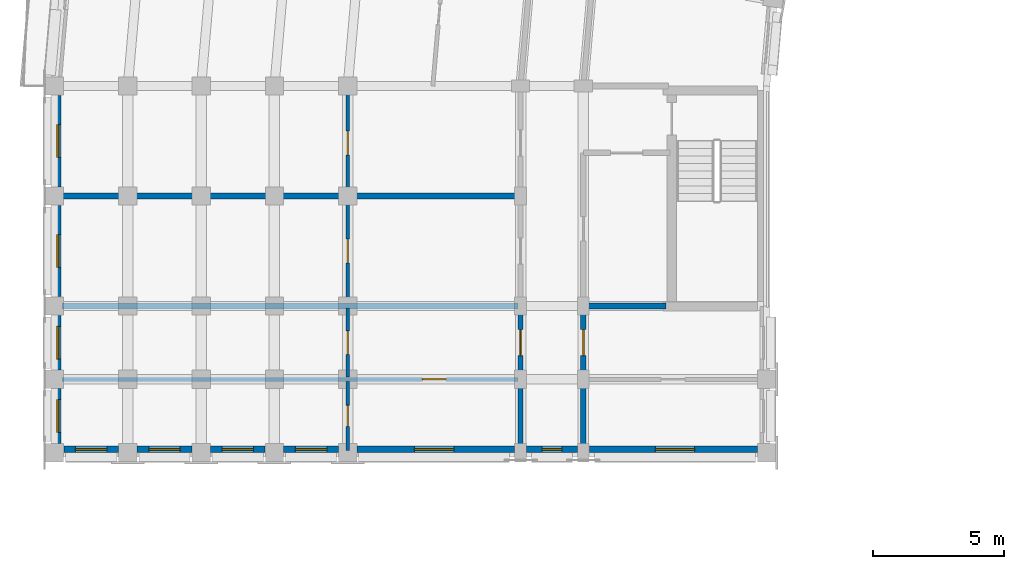
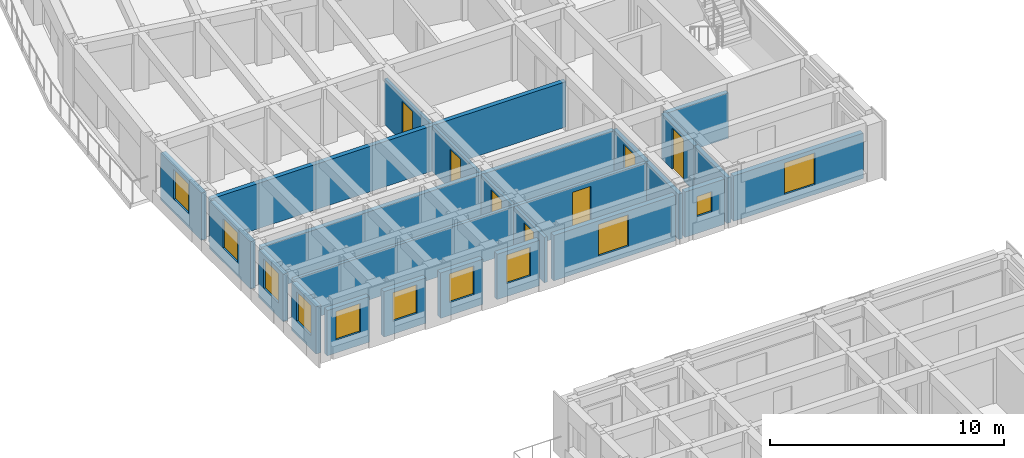
# One storey, part 24 of 57: 23 walls, 11 windows, 7 doors, 18 openings.
"""IFC4 building model written with IfcOpenShell, lengths in metres."""

from ifc_helpers import new_model, si_unit, direction, frame, frame_2d, origin, place, context, subcontext, project, spatial, rectangle, extrude, material, layer, layer_set, type_object, element, fill, save


model = new_model("IFC4")

# Units and contexts
model_context = context("Model", 3, precision=1e-05, world=origin(), true_north=direction((0.0, 1.0)))
body_context = subcontext(model_context, "Body", "Model", "MODEL_VIEW")
ifc_project = project(units=[si_unit("LENGTHUNIT", "METRE"), si_unit("AREAUNIT", "SQUARE_METRE"), si_unit("VOLUMEUNIT", "CUBIC_METRE"), si_unit("PLANEANGLEUNIT", "RADIAN"), si_unit("MASSUNIT", "GRAM", prefix="KILO")], contexts=[model_context])

# Site, building, storey
site_placement = place(None, origin())
site = spatial("IfcSite", under=ifc_project, at=site_placement, CompositionType="ELEMENT")
building_placement = place(site_placement, origin())
building = spatial("IfcBuilding", under=site, at=building_placement, Name="Kiranvali Square Residences", CompositionType="ELEMENT")
storey_placement = place(building_placement, frame((0.0, 0.0, 24.449951171875)))
storey = spatial("IfcBuildingStorey", under=building, at=storey_placement, Name="L07", CompositionType="ELEMENT", Elevation=24.449951171875)

# Wall, opening, door
ifc_material_1 = material(Name="Autoclaved aerated concrete blockwork masonry", Category="masonry")
ifc_layer_1 = layer(ifc_material_1, 0.199951171875)
ifc_layer_set_1 = layer_set([ifc_layer_1], Name="Autoclaved aerated concrete blockwork masonry")
wall_type_1 = type_object("IfcWallType", Name="WL-COR-200", PredefinedType="STANDARD", material=ifc_layer_set_1)
wall_1_placement = place(storey_placement, frame((22.39990234375, 79.39990234375, 0.0), z_axis=(0.0, 0.0, 1.0), x_axis=(0.0, -1.0, 0.0)))
wall_1 = element("IfcWall", 1, at=wall_1_placement, inside=storey, type_object=wall_type_1, Name="L07 architectural wall WL-L07-A-A2CI-0", PredefinedType="STANDARD", context=body_context, shape_type="SweptSolid", body=[
    extrude(rectangle(XDim=2.7998046875, YDim=0.199951171875, at=frame_2d((1.39990234375, 0.0))), origin(), (0.0, 0.0, 1.0), 2.3720703125),
])
opening_1_placement = place(wall_1_placement, frame((0.89990234375, 0.0, 0.0)))
opening_1 = element("IfcOpeningElement", 2, at=opening_1_placement, cuts=wall_1, Name="Opening FD-APT-60", PredefinedType="OPENING", context=body_context, shape_type="SweptSolid", body=[
    extrude(rectangle(XDim=1.0, YDim=2.14990234375, at=frame_2d((0.5, 1.074951171875))), frame((0.0, 0.10986328125, 0.0), z_axis=(0.0, -1.0, 0.0), x_axis=(1.0, 0.0, 0.0)), (0.0, 0.0, 1.0), 0.219970703125),
])
ifc_material_2 = material(Name="Fire-rated acoustic hardwood and mineral-core door assembly", Category="wood")
door_type_1 = type_object("IfcDoorType", Name="DR-APT-1000", OperationType="NOTDEFINED", PredefinedType="DOOR", material=ifc_material_2)
door_1_placement = place(opening_1_placement, origin())
door_1 = element("IfcDoor", 3, at=door_1_placement, inside=storey, type_object=door_type_1, Name="L07 door DR-L07-0505 (DR-APT-1000)", OperationType="SINGLE_SWING_LEFT", OverallHeight=2.14990234375, OverallWidth=1.0, PredefinedType="DOOR", context=body_context, shape_type="SweptSolid", body=[
    extrude(rectangle(XDim=1.0, YDim=2.14990234375, at=frame_2d((0.5, 1.074951171875))), frame((0.0, 0.02490234375, 0.0), z_axis=(0.0, -1.0, 0.0), x_axis=(1.0, 0.0, 0.0)), (0.0, 0.0, 1.0), 0.050048828125),
])
fill(opening_1, door_1)

wall_2_placement = place(storey_placement, frame((20.0, 79.39990234375, 0.0), z_axis=(0.0, 0.0, 1.0), x_axis=(0.0, -1.0, 0.0)))
wall_2 = element("IfcWall", 4, at=wall_2_placement, inside=storey, type_object=wall_type_1, Name="L07 architectural wall WL-L07-A-A2CO-0", PredefinedType="STANDARD", context=body_context, shape_type="SweptSolid", body=[
    extrude(rectangle(XDim=2.7998046875, YDim=0.199951171875, at=frame_2d((1.39990234375, 0.0))), origin(), (0.0, 0.0, 1.0), 2.3720703125),
])
opening_2_placement = place(wall_2_placement, frame((0.89990234375, 0.0, 0.0)))
opening_2 = element("IfcOpeningElement", 5, at=opening_2_placement, cuts=wall_2, Name="Opening FD-APT-60", PredefinedType="OPENING", context=body_context, shape_type="SweptSolid", body=[
    extrude(rectangle(XDim=1.0, YDim=2.14990234375, at=frame_2d((0.5, 1.074951171875))), frame((0.0, 0.10986328125, 0.0), z_axis=(0.0, -1.0, 0.0), x_axis=(1.0, 0.0, 0.0)), (0.0, 0.0, 1.0), 0.219970703125),
])
door_2_placement = place(opening_2_placement, origin())
door_2 = element("IfcDoor", 6, at=door_2_placement, inside=storey, type_object=door_type_1, Name="L07 door DR-L07-0507 (DR-APT-1000)", OperationType="SINGLE_SWING_LEFT", OverallHeight=2.14990234375, OverallWidth=1.0, PredefinedType="DOOR", context=body_context, shape_type="SweptSolid", body=[
    extrude(rectangle(XDim=1.0, YDim=2.14990234375, at=frame_2d((0.5, 1.074951171875))), frame((0.0, 0.02490234375, 0.0), z_axis=(0.0, -1.0, 0.0), x_axis=(1.0, 0.0, 0.0)), (0.0, 0.0, 1.0), 0.050048828125),
])
fill(opening_2, door_2)

# Walls
for number, where, z_axis, x_axis, name in (
    (7, (22.39990234375, 76.60009765625, 0.0), (0.0, 0.0, 1.0), (0.0, -1.0, 0.0), "L07 architectural wall WL-L07-A-A2CI-1"),
    (8, (20.0, 76.60009765625, 0.0), (0.0, 0.0, 1.0), (0.0, -1.0, 0.0), "L07 architectural wall WL-L07-A-A2CO-1"),
):
    element("IfcWall", number, at=place(storey_placement, frame(where, z_axis=z_axis, x_axis=x_axis)), inside=storey, type_object=wall_type_1, Name=name, PredefinedType="STANDARD", context=body_context, shape_type="SweptSolid", body=[
        extrude(rectangle(XDim=2.800048828125, YDim=0.199951171875, at=frame_2d((1.39990234375, 0.0))), origin(), (0.0, 0.0, 1.0), 2.3720703125),
    ])
ifc_layer_2 = layer(ifc_material_1, 0.219970703125)
ifc_layer_set_2 = layer_set([ifc_layer_2], Name="Autoclaved aerated concrete blockwork masonry")
wall_type_2 = type_object("IfcWallType", Name="WL-DEM-220", PredefinedType="STANDARD", material=ifc_layer_set_2)
wall_3_placement = place(storey_placement, frame((19.949951171875, 83.60009765625, 0.0), z_axis=(0.0, 0.0, 1.0), x_axis=(-1.0, 0.0, 0.0)))
element("IfcWall", 9, at=wall_3_placement, inside=storey, type_object=wall_type_2, Name="L07 architectural wall WL-L07-A-A2CF-MID", PredefinedType="STANDARD", context=body_context, shape_type="SweptSolid", body=[
    extrude(rectangle(XDim=17.530029296875, YDim=0.219970703125, at=frame_2d((8.76513671875, 0.0))), origin(), (0.0, 0.0, 1.0), 2.3720703125),
])
wall_4_placement = place(storey_placement, frame((25.550048828125, 79.39990234375, 0.0), z_axis=(0.0, 0.0, 1.0), x_axis=(-1.0, 0.0, 0.0)))
element("IfcWall", 10, at=wall_4_placement, inside=storey, type_object=wall_type_2, Name="L07 architectural wall WL-L07-A-A2TI-0", PredefinedType="STANDARD", context=body_context, shape_type="SweptSolid", body=[
    extrude(rectangle(XDim=3.10009765625, YDim=0.219970703125, at=frame_2d((1.550048828125, 0.0))), origin(), (0.0, 0.0, 1.0), 2.3720703125),
])
wall_5_placement = place(storey_placement, frame((19.89990234375, 79.39990234375, 0.0), z_axis=(0.0, 0.0, 1.0), x_axis=(-1.0, 0.0, 0.0)))
element("IfcWall", 11, at=wall_5_placement, inside=storey, type_object=wall_type_2, Name="L07 architectural wall WL-L07-A-A2TO-0", PredefinedType="STANDARD", context=body_context, shape_type="SweptSolid", body=[
    extrude(rectangle(XDim=17.419921875, YDim=0.219970703125, at=frame_2d((8.7099609375, 0.0))), origin(), (0.0, 0.0, 1.0), 2.3720703125),
])

# Wall, opening, window
ifc_material_3 = material(Name="Breathable lime-rendered clay brick masonry", Category="masonry")
ifc_layer_3 = layer(ifc_material_3, 0.25)
ifc_layer_set_3 = layer_set([ifc_layer_3], Name="Breathable lime-rendered clay brick masonry")
wall_type_3 = type_object("IfcWallType", Name="WL-EXT-250", PredefinedType="STANDARD", material=ifc_layer_set_3)
wall_6_placement = place(storey_placement, frame((2.324951171875, 87.446533203125, 0.0), z_axis=(0.0, 0.0, 1.0), x_axis=(0.0, -1.0, 0.0)))
wall_6 = element("IfcWall", 12, at=wall_6_placement, inside=storey, type_object=wall_type_3, Name="L07 exterior wall A-L07-A2O-0", PredefinedType="STANDARD", context=body_context, shape_type="SweptSolid", body=[
    extrude(rectangle(XDim=3.492919921875, YDim=0.25, at=frame_2d((1.74658203125, 0.0))), origin(), (0.0, 0.0, 1.0), 2.47216796875),
])
opening_3_placement = place(wall_6_placement, frame((1.12158203125, 0.0, 0.721923828125)))
opening_3 = element("IfcOpeningElement", 13, at=opening_3_placement, cuts=wall_6, Name="Opening W-19", PredefinedType="OPENING", context=body_context, shape_type="SweptSolid", body=[
    extrude(rectangle(XDim=1.25, YDim=1.550048828125, at=frame_2d((0.625, 0.77490234375))), frame((0.0, 0.135009765625, 0.0), z_axis=(0.0, -1.0, 0.0), x_axis=(1.0, 0.0, 0.0)), (0.0, 0.0, 1.0), 0.27001953125),
])
ifc_material_4 = material(Name="Solar-control low-e double glazing", Category="glass")
window_type_1 = type_object("IfcWindowType", Name="WIN-GDN-1250x1550", PartitioningType="SINGLE_PANEL", PredefinedType="WINDOW", material=ifc_material_4)
window_1_placement = place(opening_3_placement, origin())
window_1 = element("IfcWindow", 14, at=window_1_placement, inside=storey, type_object=window_type_1, Name="L07 recessed window A-L07-A2O-0", OverallHeight=1.550048828125, OverallWidth=1.25, PartitioningType="SINGLE_PANEL", PredefinedType="WINDOW", context=body_context, shape_type="SweptSolid", body=[
    extrude(rectangle(XDim=1.25, YDim=1.550048828125, at=frame_2d((0.625, 0.77490234375))), frame((0.0, 0.030029296875, 0.0), z_axis=(0.0, -1.0, 0.0), x_axis=(1.0, 0.0, 0.0)), (0.0, 0.0, 1.0), 0.06005859375),
])
fill(opening_3, window_1)

wall_7_placement = place(storey_placement, frame((2.324951171875, 83.24658203125, 0.0), z_axis=(0.0, 0.0, 1.0), x_axis=(0.0, -1.0, 0.0)))
wall_7 = element("IfcWall", 15, at=wall_7_placement, inside=storey, type_object=wall_type_3, Name="L07 exterior wall A-L07-A2O-1", PredefinedType="STANDARD", context=body_context, shape_type="SweptSolid", body=[
    extrude(rectangle(XDim=3.4931640625, YDim=0.25, at=frame_2d((1.74658203125, 0.0))), origin(), (0.0, 0.0, 1.0), 2.47216796875),
])
opening_4_placement = place(wall_7_placement, frame((1.12158203125, 0.0, 0.721923828125)))
opening_4 = element("IfcOpeningElement", 16, at=opening_4_placement, cuts=wall_7, Name="Opening W-19", PredefinedType="OPENING", context=body_context, shape_type="SweptSolid", body=[
    extrude(rectangle(XDim=1.25, YDim=1.550048828125, at=frame_2d((0.625, 0.77490234375))), frame((0.0, 0.135009765625, 0.0), z_axis=(0.0, -1.0, 0.0), x_axis=(1.0, 0.0, 0.0)), (0.0, 0.0, 1.0), 0.27001953125),
])
window_2_placement = place(opening_4_placement, origin())
window_2 = element("IfcWindow", 17, at=window_2_placement, inside=storey, type_object=window_type_1, Name="L07 recessed window A-L07-A2O-1", OverallHeight=1.550048828125, OverallWidth=1.25, PartitioningType="SINGLE_PANEL", PredefinedType="WINDOW", context=body_context, shape_type="SweptSolid", body=[
    extrude(rectangle(XDim=1.25, YDim=1.550048828125, at=frame_2d((0.625, 0.77490234375))), frame((0.0, 0.030029296875, 0.0), z_axis=(0.0, -1.0, 0.0), x_axis=(1.0, 0.0, 0.0)), (0.0, 0.0, 1.0), 0.06005859375),
])
fill(opening_4, window_2)

wall_8_placement = place(storey_placement, frame((2.324951171875, 79.04638671875, 0.0), z_axis=(0.0, 0.0, 1.0), x_axis=(0.0, -1.0, 0.0)))
wall_8 = element("IfcWall", 18, at=wall_8_placement, inside=storey, type_object=wall_type_3, Name="L07 exterior wall A-L07-A2O-2", PredefinedType="STANDARD", context=body_context, shape_type="SweptSolid", body=[
    extrude(rectangle(XDim=2.0927734375, YDim=0.25, at=frame_2d((1.04638671875, 0.0))), origin(), (0.0, 0.0, 1.0), 2.47216796875),
])
opening_5_placement = place(wall_8_placement, frame((0.42138671875, 0.0, 0.721923828125)))
opening_5 = element("IfcOpeningElement", 19, at=opening_5_placement, cuts=wall_8, Name="Opening W-19", PredefinedType="OPENING", context=body_context, shape_type="SweptSolid", body=[
    extrude(rectangle(XDim=1.25, YDim=1.550048828125, at=frame_2d((0.625, 0.77490234375))), frame((0.0, 0.135009765625, 0.0), z_axis=(0.0, -1.0, 0.0), x_axis=(1.0, 0.0, 0.0)), (0.0, 0.0, 1.0), 0.27001953125),
])
window_3_placement = place(opening_5_placement, origin())
window_3 = element("IfcWindow", 20, at=window_3_placement, inside=storey, type_object=window_type_1, Name="L07 recessed window A-L07-A2O-2", OverallHeight=1.550048828125, OverallWidth=1.25, PartitioningType="SINGLE_PANEL", PredefinedType="WINDOW", context=body_context, shape_type="SweptSolid", body=[
    extrude(rectangle(XDim=1.25, YDim=1.550048828125, at=frame_2d((0.625, 0.77490234375))), frame((0.0, 0.030029296875, 0.0), z_axis=(0.0, -1.0, 0.0), x_axis=(1.0, 0.0, 0.0)), (0.0, 0.0, 1.0), 0.06005859375),
])
fill(opening_5, window_3)

wall_9_placement = place(storey_placement, frame((2.324951171875, 76.24658203125, 0.0), z_axis=(0.0, 0.0, 1.0), x_axis=(0.0, -1.0, 0.0)))
wall_9 = element("IfcWall", 21, at=wall_9_placement, inside=storey, type_object=wall_type_3, Name="L07 exterior wall A-L07-A2O-3", PredefinedType="STANDARD", context=body_context, shape_type="SweptSolid", body=[
    extrude(rectangle(XDim=2.093017578125, YDim=0.25, at=frame_2d((1.04638671875, 0.0))), origin(), (0.0, 0.0, 1.0), 2.47216796875),
])
opening_6_placement = place(wall_9_placement, frame((0.42138671875, 0.0, 0.721923828125)))
opening_6 = element("IfcOpeningElement", 22, at=opening_6_placement, cuts=wall_9, Name="Opening W-19", PredefinedType="OPENING", context=body_context, shape_type="SweptSolid", body=[
    extrude(rectangle(XDim=1.25, YDim=1.550048828125, at=frame_2d((0.625, 0.77490234375))), frame((0.0, 0.135009765625, 0.0), z_axis=(0.0, -1.0, 0.0), x_axis=(1.0, 0.0, 0.0)), (0.0, 0.0, 1.0), 0.27001953125),
])
window_4_placement = place(opening_6_placement, origin())
window_4 = element("IfcWindow", 23, at=window_4_placement, inside=storey, type_object=window_type_1, Name="L07 recessed window A-L07-A2O-3", OverallHeight=1.550048828125, OverallWidth=1.25, PartitioningType="SINGLE_PANEL", PredefinedType="WINDOW", context=body_context, shape_type="SweptSolid", body=[
    extrude(rectangle(XDim=1.25, YDim=1.550048828125, at=frame_2d((0.625, 0.77490234375))), frame((0.0, 0.030029296875, 0.0), z_axis=(0.0, -1.0, 0.0), x_axis=(1.0, 0.0, 0.0)), (0.0, 0.0, 1.0), 0.06005859375),
])
fill(opening_6, window_4)

wall_10_placement = place(storey_placement, frame((29.04638671875, 73.925048828125, 0.0), z_axis=(0.0, 0.0, 1.0), x_axis=(-1.0, 0.0, 0.0)))
wall_10 = element("IfcWall", 24, at=wall_10_placement, inside=storey, type_object=wall_type_3, Name="L07 exterior wall A-L07-A2END-0", PredefinedType="STANDARD", context=body_context, shape_type="SweptSolid", body=[
    extrude(rectangle(XDim=6.41796875, YDim=0.25, at=frame_2d((3.208984375, 0.0))), origin(), (0.0, 0.0, 1.0), 2.3720703125),
])
opening_7_placement = place(wall_10_placement, frame((2.396484375, 0.0, 0.52197265625)))
opening_7 = element("IfcOpeningElement", 25, at=opening_7_placement, cuts=wall_10, Name="Opening W-05", PredefinedType="OPENING", context=body_context, shape_type="SweptSolid", body=[
    extrude(rectangle(XDim=1.5, YDim=1.64990234375, at=frame_2d((0.75, 0.824951171875))), frame((0.0, 0.135009765625, 0.0), z_axis=(0.0, -1.0, 0.0), x_axis=(1.0, 0.0, 0.0)), (0.0, 0.0, 1.0), 0.27001953125),
])
window_type_2 = type_object("IfcWindowType", Name="WIN-RES-1500x1650", PartitioningType="DOUBLE_PANEL_VERTICAL", PredefinedType="WINDOW", material=ifc_material_4)
window_5_placement = place(opening_7_placement, origin())
window_5 = element("IfcWindow", 26, at=window_5_placement, inside=storey, type_object=window_type_2, Name="L07 recessed window A-L07-A2END-0", OverallHeight=1.64990234375, OverallWidth=1.5, PartitioningType="DOUBLE_PANEL_VERTICAL", PredefinedType="WINDOW", context=body_context, shape_type="SweptSolid", body=[
    extrude(rectangle(XDim=1.5, YDim=1.64990234375, at=frame_2d((0.75, 0.824951171875))), frame((0.0, 0.030029296875, 0.0), z_axis=(0.0, -1.0, 0.0), x_axis=(1.0, 0.0, 0.0)), (0.0, 0.0, 1.0), 0.06005859375),
])
fill(opening_7, window_5)

wall_11_placement = place(storey_placement, frame((22.17138671875, 73.925048828125, 0.0), z_axis=(0.0, 0.0, 1.0), x_axis=(-1.0, 0.0, 0.0)))
wall_11 = element("IfcWall", 27, at=wall_11_placement, inside=storey, type_object=wall_type_3, Name="L07 exterior wall A-L07-A2END-1", PredefinedType="STANDARD", context=body_context, shape_type="SweptSolid", body=[
    extrude(rectangle(XDim=1.94287109375, YDim=0.25, at=frame_2d((0.971435546875, 0.0))), origin(), (0.0, 0.0, 1.0), 2.3720703125),
])
opening_8_placement = place(wall_11_placement, frame((0.596435546875, 0.0, 0.8798828125)))
opening_8 = element("IfcOpeningElement", 28, at=opening_8_placement, cuts=wall_11, Name="Opening W-07", PredefinedType="OPENING", context=body_context, shape_type="SweptSolid", body=[
    extrude(rectangle(XDim=0.75, YDim=1.050048828125, at=frame_2d((0.375, 0.52490234375))), frame((0.0, 0.135009765625, 0.0), z_axis=(0.0, -1.0, 0.0), x_axis=(1.0, 0.0, 0.0)), (0.0, 0.0, 1.0), 0.27001953125),
])
window_type_3 = type_object("IfcWindowType", Name="WIN-WET-750x1050", PartitioningType="SINGLE_PANEL", PredefinedType="WINDOW", material=ifc_material_4)
window_6_placement = place(opening_8_placement, origin())
window_6 = element("IfcWindow", 29, at=window_6_placement, inside=storey, type_object=window_type_3, Name="L07 recessed window A-L07-A2END-1", OverallHeight=1.050048828125, OverallWidth=0.75, PartitioningType="SINGLE_PANEL", PredefinedType="WINDOW", context=body_context, shape_type="SweptSolid", body=[
    extrude(rectangle(XDim=0.75, YDim=1.050048828125, at=frame_2d((0.375, 0.52490234375))), frame((0.0, 0.030029296875, 0.0), z_axis=(0.0, -1.0, 0.0), x_axis=(1.0, 0.0, 0.0)), (0.0, 0.0, 1.0), 0.06005859375),
])
fill(opening_8, window_6)

wall_12_placement = place(storey_placement, frame((19.771484375, 73.925048828125, 0.0), z_axis=(0.0, 0.0, 1.0), x_axis=(-1.0, 0.0, 0.0)))
wall_12 = element("IfcWall", 30, at=wall_12_placement, inside=storey, type_object=wall_type_3, Name="L07 exterior wall A-L07-A2END-2", PredefinedType="STANDARD", context=body_context, shape_type="SweptSolid", body=[
    extrude(rectangle(XDim=6.01806640625, YDim=0.25, at=frame_2d((3.009033203125, 0.0))), origin(), (0.0, 0.0, 1.0), 2.3720703125),
])
opening_9_placement = place(wall_12_placement, frame((2.321533203125, 0.0, 0.52197265625)))
opening_9 = element("IfcOpeningElement", 31, at=opening_9_placement, cuts=wall_12, Name="Opening W-05", PredefinedType="OPENING", context=body_context, shape_type="SweptSolid", body=[
    extrude(rectangle(XDim=1.5, YDim=1.64990234375, at=frame_2d((0.75, 0.824951171875))), frame((0.0, 0.135009765625, 0.0), z_axis=(0.0, -1.0, 0.0), x_axis=(1.0, 0.0, 0.0)), (0.0, 0.0, 1.0), 0.27001953125),
])
window_7_placement = place(opening_9_placement, origin())
window_7 = element("IfcWindow", 32, at=window_7_placement, inside=storey, type_object=window_type_2, Name="L07 recessed window A-L07-A2END-2", OverallHeight=1.64990234375, OverallWidth=1.5, PartitioningType="DOUBLE_PANEL_VERTICAL", PredefinedType="WINDOW", context=body_context, shape_type="SweptSolid", body=[
    extrude(rectangle(XDim=1.5, YDim=1.64990234375, at=frame_2d((0.75, 0.824951171875))), frame((0.0, 0.030029296875, 0.0), z_axis=(0.0, -1.0, 0.0), x_axis=(1.0, 0.0, 0.0)), (0.0, 0.0, 1.0), 0.06005859375),
])
fill(opening_9, window_7)

wall_13_placement = place(storey_placement, frame((13.04638671875, 73.925048828125, 0.0), z_axis=(0.0, 0.0, 1.0), x_axis=(-1.0, 0.0, 0.0)))
wall_13 = element("IfcWall", 33, at=wall_13_placement, inside=storey, type_object=wall_type_3, Name="L07 exterior wall A-L07-A2END-3", PredefinedType="STANDARD", context=body_context, shape_type="SweptSolid", body=[
    extrude(rectangle(XDim=2.0927734375, YDim=0.25, at=frame_2d((1.04638671875, 0.0))), origin(), (0.0, 0.0, 1.0), 2.3720703125),
])
opening_10_placement = place(wall_13_placement, frame((0.446533203125, 0.0, 0.672119140625)))
opening_10 = element("IfcOpeningElement", 34, at=opening_10_placement, cuts=wall_13, Name="Opening W-06", PredefinedType="OPENING", context=body_context, shape_type="SweptSolid", body=[
    extrude(rectangle(XDim=1.199951171875, YDim=1.5, at=frame_2d((0.60009765625, 0.75))), frame((0.0, 0.135009765625, 0.0), z_axis=(0.0, -1.0, 0.0), x_axis=(1.0, 0.0, 0.0)), (0.0, 0.0, 1.0), 0.27001953125),
])
window_type_4 = type_object("IfcWindowType", Name="WIN-RES-1200x1500", PartitioningType="SINGLE_PANEL", PredefinedType="WINDOW", material=ifc_material_4)
window_8_placement = place(opening_10_placement, origin())
window_8 = element("IfcWindow", 35, at=window_8_placement, inside=storey, type_object=window_type_4, Name="L07 recessed window A-L07-A2END-3", OverallHeight=1.5, OverallWidth=1.199951171875, PartitioningType="SINGLE_PANEL", PredefinedType="WINDOW", context=body_context, shape_type="SweptSolid", body=[
    extrude(rectangle(XDim=1.199951171875, YDim=1.5, at=frame_2d((0.60009765625, 0.75))), frame((0.0, 0.030029296875, 0.0), z_axis=(0.0, -1.0, 0.0), x_axis=(1.0, 0.0, 0.0)), (0.0, 0.0, 1.0), 0.06005859375),
])
fill(opening_10, window_8)

wall_14_placement = place(storey_placement, frame((10.24658203125, 73.925048828125, 0.0), z_axis=(0.0, 0.0, 1.0), x_axis=(-1.0, 0.0, 0.0)))
wall_14 = element("IfcWall", 36, at=wall_14_placement, inside=storey, type_object=wall_type_3, Name="L07 exterior wall A-L07-A2END-4", PredefinedType="STANDARD", context=body_context, shape_type="SweptSolid", body=[
    extrude(rectangle(XDim=2.093017578125, YDim=0.25, at=frame_2d((1.04638671875, 0.0))), origin(), (0.0, 0.0, 1.0), 2.3720703125),
])
opening_11_placement = place(wall_14_placement, frame((0.446533203125, 0.0, 0.672119140625)))
opening_11 = element("IfcOpeningElement", 37, at=opening_11_placement, cuts=wall_14, Name="Opening W-06", PredefinedType="OPENING", context=body_context, shape_type="SweptSolid", body=[
    extrude(rectangle(XDim=1.199951171875, YDim=1.5, at=frame_2d((0.60009765625, 0.75))), frame((0.0, 0.135009765625, 0.0), z_axis=(0.0, -1.0, 0.0), x_axis=(1.0, 0.0, 0.0)), (0.0, 0.0, 1.0), 0.27001953125),
])
window_9_placement = place(opening_11_placement, origin())
window_9 = element("IfcWindow", 38, at=window_9_placement, inside=storey, type_object=window_type_4, Name="L07 recessed window A-L07-A2END-4", OverallHeight=1.5, OverallWidth=1.199951171875, PartitioningType="SINGLE_PANEL", PredefinedType="WINDOW", context=body_context, shape_type="SweptSolid", body=[
    extrude(rectangle(XDim=1.199951171875, YDim=1.5, at=frame_2d((0.60009765625, 0.75))), frame((0.0, 0.030029296875, 0.0), z_axis=(0.0, -1.0, 0.0), x_axis=(1.0, 0.0, 0.0)), (0.0, 0.0, 1.0), 0.06005859375),
])
fill(opening_11, window_9)

wall_15_placement = place(storey_placement, frame((7.446533203125, 73.925048828125, 0.0), z_axis=(0.0, 0.0, 1.0), x_axis=(-1.0, 0.0, 0.0)))
wall_15 = element("IfcWall", 39, at=wall_15_placement, inside=storey, type_object=wall_type_3, Name="L07 exterior wall A-L07-A2END-5", PredefinedType="STANDARD", context=body_context, shape_type="SweptSolid", body=[
    extrude(rectangle(XDim=2.093017578125, YDim=0.25, at=frame_2d((1.04638671875, 0.0))), origin(), (0.0, 0.0, 1.0), 2.3720703125),
])
opening_12_placement = place(wall_15_placement, frame((0.446533203125, 0.0, 0.672119140625)))
opening_12 = element("IfcOpeningElement", 40, at=opening_12_placement, cuts=wall_15, Name="Opening W-06", PredefinedType="OPENING", context=body_context, shape_type="SweptSolid", body=[
    extrude(rectangle(XDim=1.199951171875, YDim=1.5, at=frame_2d((0.60009765625, 0.75))), frame((0.0, 0.135009765625, 0.0), z_axis=(0.0, -1.0, 0.0), x_axis=(1.0, 0.0, 0.0)), (0.0, 0.0, 1.0), 0.27001953125),
])
window_10_placement = place(opening_12_placement, origin())
window_10 = element("IfcWindow", 41, at=window_10_placement, inside=storey, type_object=window_type_4, Name="L07 recessed window A-L07-A2END-5", OverallHeight=1.5, OverallWidth=1.199951171875, PartitioningType="SINGLE_PANEL", PredefinedType="WINDOW", context=body_context, shape_type="SweptSolid", body=[
    extrude(rectangle(XDim=1.199951171875, YDim=1.5, at=frame_2d((0.60009765625, 0.75))), frame((0.0, 0.030029296875, 0.0), z_axis=(0.0, -1.0, 0.0), x_axis=(1.0, 0.0, 0.0)), (0.0, 0.0, 1.0), 0.06005859375),
])
fill(opening_12, window_10)

wall_16_placement = place(storey_placement, frame((4.646484375, 73.925048828125, 0.0), z_axis=(0.0, 0.0, 1.0), x_axis=(-1.0, 0.0, 0.0)))
wall_16 = element("IfcWall", 42, at=wall_16_placement, inside=storey, type_object=wall_type_3, Name="L07 exterior wall A-L07-A2END-6", PredefinedType="STANDARD", context=body_context, shape_type="SweptSolid", body=[
    extrude(rectangle(XDim=2.093017578125, YDim=0.25, at=frame_2d((1.04638671875, 0.0))), origin(), (0.0, 0.0, 1.0), 2.3720703125),
])
opening_13_placement = place(wall_16_placement, frame((0.446533203125, 0.0, 0.672119140625)))
opening_13 = element("IfcOpeningElement", 43, at=opening_13_placement, cuts=wall_16, Name="Opening W-06", PredefinedType="OPENING", context=body_context, shape_type="SweptSolid", body=[
    extrude(rectangle(XDim=1.199951171875, YDim=1.5, at=frame_2d((0.60009765625, 0.75))), frame((0.0, 0.135009765625, 0.0), z_axis=(0.0, -1.0, 0.0), x_axis=(1.0, 0.0, 0.0)), (0.0, 0.0, 1.0), 0.27001953125),
])
window_11_placement = place(opening_13_placement, origin())
window_11 = element("IfcWindow", 44, at=window_11_placement, inside=storey, type_object=window_type_4, Name="L07 recessed window A-L07-A2END-6", OverallHeight=1.5, OverallWidth=1.199951171875, PartitioningType="SINGLE_PANEL", PredefinedType="WINDOW", context=body_context, shape_type="SweptSolid", body=[
    extrude(rectangle(XDim=1.199951171875, YDim=1.5, at=frame_2d((0.60009765625, 0.75))), frame((0.0, 0.030029296875, 0.0), z_axis=(0.0, -1.0, 0.0), x_axis=(1.0, 0.0, 0.0)), (0.0, 0.0, 1.0), 0.06005859375),
])
fill(opening_13, window_11)

# Wall, opening, door
ifc_material_5 = material(Name="Acoustic gypsum board drylined partition", Category="gypsum")
ifc_layer_4 = layer(ifc_material_5, 0.14990234375)
ifc_layer_set_4 = layer_set([ifc_layer_4], Name="Acoustic gypsum board drylined partition")
wall_type_4 = type_object("IfcWallType", Name="WL-PRT-150", PredefinedType="PARTITIONING", material=ifc_layer_set_4)
wall_17_placement = place(storey_placement, frame((13.39990234375, 87.570068359375, 0.0), z_axis=(0.0, 0.0, 1.0), x_axis=(0.0, -1.0, 0.0)))
wall_17 = element("IfcWall", 45, at=wall_17_placement, inside=storey, type_object=wall_type_4, Name="L07 architectural wall WL-L07-A-A2CF-SP0", PredefinedType="PARTITIONING", context=body_context, shape_type="SweptSolid", body=[
    extrude(rectangle(XDim=3.89013671875, YDim=0.14990234375, at=frame_2d((1.945068359375, 0.0))), origin(), (0.0, 0.0, 1.0), 2.3720703125),
])
opening_14_placement = place(wall_17_placement, frame((1.4951171875, 0.0, 0.0)))
opening_14 = element("IfcOpeningElement", 46, at=opening_14_placement, cuts=wall_17, Name="Opening ID-1", PredefinedType="OPENING", context=body_context, shape_type="SweptSolid", body=[
    extrude(rectangle(XDim=0.89990234375, YDim=2.10009765625, at=frame_2d((0.449951171875, 1.050048828125))), frame((0.0, 0.0849609375, 0.0), z_axis=(0.0, -1.0, 0.0), x_axis=(1.0, 0.0, 0.0)), (0.0, 0.0, 1.0), 0.169921875),
])
ifc_material_6 = material(Name="Solid seasoned teak hardwood joinery", Category="wood")
door_type_2 = type_object("IfcDoorType", Name="DR-INT-900", OperationType="NOTDEFINED", PredefinedType="DOOR", material=ifc_material_6)
door_3_placement = place(opening_14_placement, frame((0.89990234375, 0.0, 0.0), z_axis=(0.0, 0.0, 1.0), x_axis=(-1.0, 0.0, 0.0)))
door_3 = element("IfcDoor", 47, at=door_3_placement, inside=storey, type_object=door_type_2, Name="L07 door DR-L07-0502 (DR-INT-900)", OperationType="SINGLE_SWING_RIGHT", OverallHeight=2.10009765625, OverallWidth=0.89990234375, PredefinedType="DOOR", context=body_context, shape_type="SweptSolid", body=[
    extrude(rectangle(XDim=0.89990234375, YDim=2.10009765625, at=frame_2d((0.449951171875, 1.050048828125))), frame((0.0, 0.02490234375, 0.0), z_axis=(0.0, -1.0, 0.0), x_axis=(1.0, 0.0, 0.0)), (0.0, 0.0, 1.0), 0.050048828125),
])
fill(opening_14, door_3)

wall_18_placement = place(storey_placement, frame((13.39990234375, 83.52001953125, 0.0), z_axis=(0.0, 0.0, 1.0), x_axis=(0.0, -1.0, 0.0)))
wall_18 = element("IfcWall", 48, at=wall_18_placement, inside=storey, type_object=wall_type_4, Name="L07 architectural wall WL-L07-A-A2CF-SP1", PredefinedType="PARTITIONING", context=body_context, shape_type="SweptSolid", body=[
    extrude(rectangle(XDim=4.0400390625, YDim=0.14990234375, at=frame_2d((2.02001953125, 0.0))), origin(), (0.0, 0.0, 1.0), 2.3720703125),
])
opening_15_placement = place(wall_18_placement, frame((1.570068359375, 0.0, 0.0)))
opening_15 = element("IfcOpeningElement", 49, at=opening_15_placement, cuts=wall_18, Name="Opening ID-1", PredefinedType="OPENING", context=body_context, shape_type="SweptSolid", body=[
    extrude(rectangle(XDim=0.89990234375, YDim=2.10009765625, at=frame_2d((0.449951171875, 1.050048828125))), frame((0.0, 0.0849609375, 0.0), z_axis=(0.0, -1.0, 0.0), x_axis=(1.0, 0.0, 0.0)), (0.0, 0.0, 1.0), 0.169921875),
])
door_4_placement = place(opening_15_placement, frame((0.89990234375, 0.0, 0.0), z_axis=(0.0, 0.0, 1.0), x_axis=(-1.0, 0.0, 0.0)))
door_4 = element("IfcDoor", 50, at=door_4_placement, inside=storey, type_object=door_type_2, Name="L07 door DR-L07-0504 (DR-INT-900)", OperationType="SINGLE_SWING_RIGHT", OverallHeight=2.10009765625, OverallWidth=0.89990234375, PredefinedType="DOOR", context=body_context, shape_type="SweptSolid", body=[
    extrude(rectangle(XDim=0.89990234375, YDim=2.10009765625, at=frame_2d((0.449951171875, 1.050048828125))), frame((0.0, 0.02490234375, 0.0), z_axis=(0.0, -1.0, 0.0), x_axis=(1.0, 0.0, 0.0)), (0.0, 0.0, 1.0), 0.050048828125),
])
fill(opening_15, door_4)

wall_19_placement = place(storey_placement, frame((19.89990234375, 76.60009765625, 0.0), z_axis=(0.0, 0.0, 1.0), x_axis=(-1.0, 0.0, 0.0)))
wall_19 = element("IfcWall", 51, at=wall_19_placement, inside=storey, type_object=wall_type_4, Name="L07 architectural wall WL-L07-A-A2TO-1", PredefinedType="PARTITIONING", context=body_context, shape_type="SweptSolid", body=[
    extrude(rectangle(XDim=17.419921875, YDim=0.14990234375, at=frame_2d((8.7099609375, 0.0))), origin(), (0.0, 0.0, 1.0), 2.3720703125),
])
opening_16_placement = place(wall_19_placement, frame((2.75, 0.0, 0.0)))
opening_16 = element("IfcOpeningElement", 52, at=opening_16_placement, cuts=wall_19, Name="Opening ID-1", PredefinedType="OPENING", context=body_context, shape_type="SweptSolid", body=[
    extrude(rectangle(XDim=0.89990234375, YDim=2.10009765625, at=frame_2d((0.449951171875, 1.050048828125))), frame((0.0, 0.0849609375, 0.0), z_axis=(0.0, -1.0, 0.0), x_axis=(1.0, 0.0, 0.0)), (0.0, 0.0, 1.0), 0.169921875),
])
door_5_placement = place(opening_16_placement, frame((0.89990234375, 0.0, 0.0), z_axis=(0.0, 0.0, 1.0), x_axis=(-1.0, 0.0, 0.0)))
door_5 = element("IfcDoor", 53, at=door_5_placement, inside=storey, type_object=door_type_2, Name="L07 door DR-L07-0510 (DR-INT-900)", OperationType="SINGLE_SWING_RIGHT", OverallHeight=2.10009765625, OverallWidth=0.89990234375, PredefinedType="DOOR", context=body_context, shape_type="SweptSolid", body=[
    extrude(rectangle(XDim=0.89990234375, YDim=2.10009765625, at=frame_2d((0.449951171875, 1.050048828125))), frame((0.0, 0.02490234375, 0.0), z_axis=(0.0, -1.0, 0.0), x_axis=(1.0, 0.0, 0.0)), (0.0, 0.0, 1.0), 0.050048828125),
])
fill(opening_16, door_5)

ifc_layer_5 = layer(ifc_material_1, 0.14990234375)
ifc_layer_set_5 = layer_set([ifc_layer_5], Name="Autoclaved aerated concrete blockwork masonry")
wall_type_5 = type_object("IfcWallType", Name="WL-WET-150", PredefinedType="PLUMBINGWALL", material=ifc_layer_set_5)
wall_20_placement = place(storey_placement, frame((13.39990234375, 79.320068359375, 0.0), z_axis=(0.0, 0.0, 1.0), x_axis=(0.0, -1.0, 0.0)))
wall_20 = element("IfcWall", 54, at=wall_20_placement, inside=storey, type_object=wall_type_5, Name="L07 architectural wall WL-L07-A-A2SP-0", PredefinedType="PLUMBINGWALL", context=body_context, shape_type="SweptSolid", body=[
    extrude(rectangle(XDim=2.64013671875, YDim=0.14990234375, at=frame_2d((1.320068359375, 0.0))), origin(), (0.0, 0.0, 1.0), 2.3720703125),
])
opening_17_placement = place(wall_20_placement, frame((0.8701171875, 0.0, 0.0)))
opening_17 = element("IfcOpeningElement", 55, at=opening_17_placement, cuts=wall_20, Name="Opening ID-1", PredefinedType="OPENING", context=body_context, shape_type="SweptSolid", body=[
    extrude(rectangle(XDim=0.89990234375, YDim=2.10009765625, at=frame_2d((0.449951171875, 1.050048828125))), frame((0.0, 0.0849609375, 0.0), z_axis=(0.0, -1.0, 0.0), x_axis=(1.0, 0.0, 0.0)), (0.0, 0.0, 1.0), 0.169921875),
])
door_6_placement = place(opening_17_placement, frame((0.89990234375, 0.0, 0.0), z_axis=(0.0, 0.0, 1.0), x_axis=(-1.0, 0.0, 0.0)))
door_6 = element("IfcDoor", 56, at=door_6_placement, inside=storey, type_object=door_type_2, Name="L07 door DR-L07-0506 (DR-INT-900)", OperationType="SINGLE_SWING_RIGHT", OverallHeight=2.10009765625, OverallWidth=0.89990234375, PredefinedType="DOOR", context=body_context, shape_type="SweptSolid", body=[
    extrude(rectangle(XDim=0.89990234375, YDim=2.10009765625, at=frame_2d((0.449951171875, 1.050048828125))), frame((0.0, 0.02490234375, 0.0), z_axis=(0.0, -1.0, 0.0), x_axis=(1.0, 0.0, 0.0)), (0.0, 0.0, 1.0), 0.050048828125),
])
fill(opening_17, door_6)

wall_21_placement = place(storey_placement, frame((13.39990234375, 76.52001953125, 0.0), z_axis=(0.0, 0.0, 1.0), x_axis=(0.0, -1.0, 0.0)))
wall_21 = element("IfcWall", 57, at=wall_21_placement, inside=storey, type_object=wall_type_5, Name="L07 architectural wall WL-L07-A-A2SP-1", PredefinedType="PLUMBINGWALL", context=body_context, shape_type="SweptSolid", body=[
    extrude(rectangle(XDim=2.64013671875, YDim=0.14990234375, at=frame_2d((1.320068359375, 0.0))), origin(), (0.0, 0.0, 1.0), 2.3720703125),
])
opening_18_placement = place(wall_21_placement, frame((0.919921875, 0.0, 0.0)))
opening_18 = element("IfcOpeningElement", 58, at=opening_18_placement, cuts=wall_21, Name="Opening ID-WET", PredefinedType="OPENING", context=body_context, shape_type="SweptSolid", body=[
    extrude(rectangle(XDim=0.800048828125, YDim=2.10009765625, at=frame_2d((0.39990234375, 1.050048828125))), frame((0.0, 0.0849609375, 0.0), z_axis=(0.0, -1.0, 0.0), x_axis=(1.0, 0.0, 0.0)), (0.0, 0.0, 1.0), 0.169921875),
])
door_type_3 = type_object("IfcDoorType", Name="DR-WET-800", OperationType="NOTDEFINED", PredefinedType="DOOR", material=ifc_material_6)
door_7_placement = place(opening_18_placement, frame((0.800048828125, 0.0, 0.0), z_axis=(0.0, 0.0, 1.0), x_axis=(-1.0, 0.0, 0.0)))
door_7 = element("IfcDoor", 59, at=door_7_placement, inside=storey, type_object=door_type_3, Name="L07 door DR-L07-0508 (DR-WET-800)", OperationType="SINGLE_SWING_RIGHT", OverallHeight=2.10009765625, OverallWidth=0.800048828125, PredefinedType="DOOR", context=body_context, shape_type="SweptSolid", body=[
    extrude(rectangle(XDim=0.800048828125, YDim=2.10009765625, at=frame_2d((0.39990234375, 1.050048828125))), frame((0.0, 0.02490234375, 0.0), z_axis=(0.0, -1.0, 0.0), x_axis=(1.0, 0.0, 0.0)), (0.0, 0.0, 1.0), 0.050048828125),
])
fill(opening_18, door_7)

save(model, "model.ifc")
